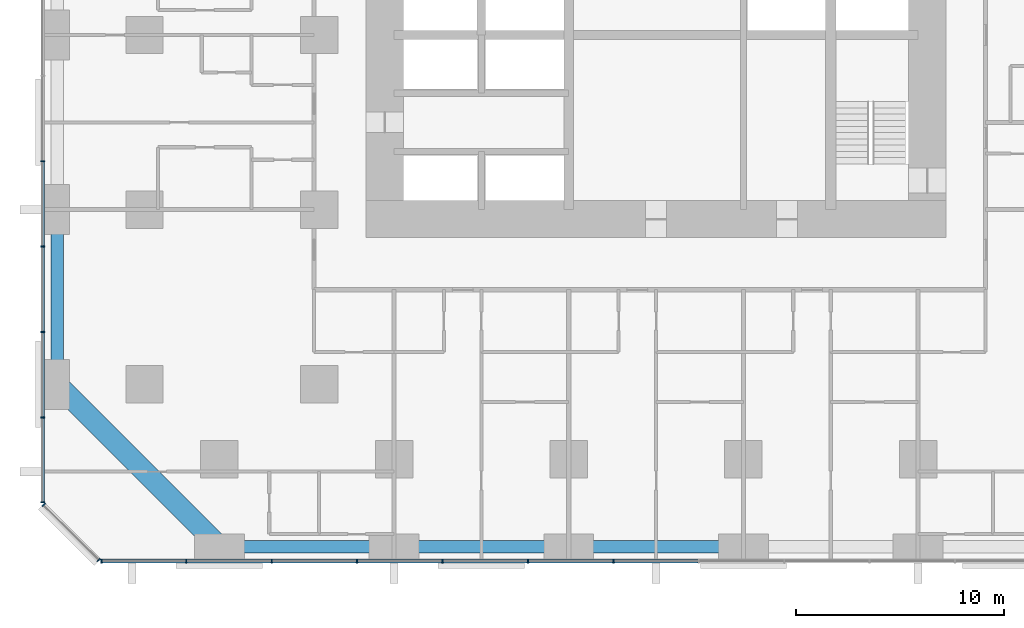
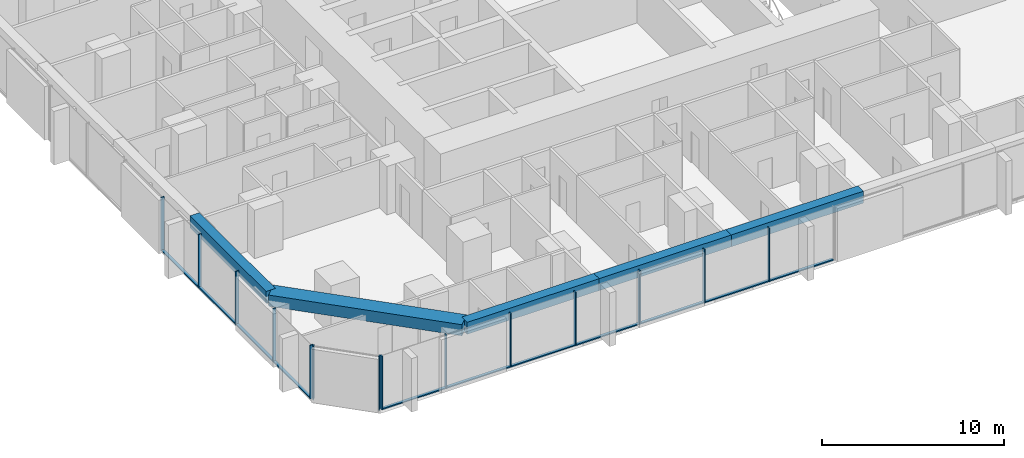
# One storey, part 2 of 17: 25 members, 5 beams, 3 elements without a shape of their own.
"""IFC4 building model written with IfcOpenShell, lengths in metres."""

from ifc_helpers import new_model, si_unit, direction, frame, origin, origin_2d, place, context, subcontext, project, spatial, rectangle, extrude, material, material_profile, profile_set, type_object, element, aggregate, save


model = new_model("IFC4")

# Units and contexts
model_context = context("Model", 3, precision=1e-05, world=origin(), true_north=direction((0.0, 1.0)))
body_context = subcontext(model_context, "Body", "Model", "MODEL_VIEW")
ifc_project = project(units=[si_unit("LENGTHUNIT", "METRE"), si_unit("AREAUNIT", "SQUARE_METRE"), si_unit("VOLUMEUNIT", "CUBIC_METRE"), si_unit("PLANEANGLEUNIT", "RADIAN"), si_unit("MASSUNIT", "GRAM", prefix="KILO")], contexts=[model_context])

# Site, building, storey
site_placement = place(None, origin())
site = spatial("IfcSite", under=ifc_project, at=site_placement, CompositionType="ELEMENT")
building_placement = place(site_placement, origin())
building = spatial("IfcBuilding", under=site, at=building_placement, Name="Dunama Terrace Hotel", CompositionType="ELEMENT")
storey_placement = place(building_placement, frame((0.0, 0.0, 48.60009765625)))
storey = spatial("IfcBuildingStorey", under=building, at=storey_placement, Name="L11", CompositionType="ELEMENT", Elevation=48.60009765625)

# Curtain wall, members
ifc_material_1 = material(Name="Aluminium curtain wall system", Category="aluminium")
curtain_wall_type = type_object("IfcCurtainWallType", Name="Unitised fritted glass wall CW-A", PredefinedType="NOTDEFINED", material=ifc_material_1)
curtain_wall_1_placement = place(storey_placement, origin())
curtain_wall_1 = element("IfcCurtainWall", 1, at=curtain_wall_1_placement, inside=storey, type_object=curtain_wall_type, Name="Unitised fritted glass wall CW-A L11", PredefinedType="NOTDEFINED")
ifc_material_2 = material(Name="Aluminium mullion", Category="aluminium")
ifc_material_profile_1 = material_profile(ifc_material_2, rectangle(XDim=0.06494140625, YDim=0.199951171875, at=origin_2d()), Name="CWA MULLION 65X200")
ifc_profile_set_1 = profile_set([ifc_material_profile_1], Name="Aluminium mullion")
member_type_1 = type_object("IfcMemberType", Name="CWA mullion 65x200", PredefinedType="MULLION", material=ifc_profile_set_1)
member_1_placement = place(storey_placement, frame((2.73291015625, -0.10009765625, 0.0), z_axis=(0.0, 0.0, 1.0), x_axis=(1.0, 0.0, 0.0)))
member_1 = element("IfcMember", 2, at=member_1_placement, type_object=member_type_1, Name="CWA mullion", PredefinedType="MULLION", context=body_context, shape_type="SweptSolid", body=[
    extrude(rectangle(XDim=0.06494140625, YDim=0.199951171875, at=origin_2d()), origin(), (0.0, 0.0, 1.0), 3.599853515625),
])
member_2_placement = place(storey_placement, frame((6.80810546875, -0.10009765625, 0.0), z_axis=(0.0, 0.0, 1.0), x_axis=(1.0, 0.0, 0.0)))
member_2 = element("IfcMember", 3, at=member_2_placement, type_object=member_type_1, Name="CWA mullion", PredefinedType="MULLION", context=body_context, shape_type="SweptSolid", body=[
    extrude(rectangle(XDim=0.06494140625, YDim=0.199951171875, at=origin_2d()), origin(), (0.0, 0.0, 1.0), 3.599853515625),
])
member_3_placement = place(storey_placement, frame((10.9150390625, -0.10009765625, 0.0), z_axis=(0.0, 0.0, 1.0), x_axis=(1.0, 0.0, 0.0)))
member_3 = element("IfcMember", 4, at=member_3_placement, type_object=member_type_1, Name="CWA mullion", PredefinedType="MULLION", context=body_context, shape_type="SweptSolid", body=[
    extrude(rectangle(XDim=0.06494140625, YDim=0.199951171875, at=origin_2d()), origin(), (0.0, 0.0, 1.0), 3.599853515625),
])
member_4_placement = place(storey_placement, frame((15.02294921875, -0.10009765625, 0.0), z_axis=(0.0, 0.0, 1.0), x_axis=(1.0, 0.0, 0.0)))
member_4 = element("IfcMember", 5, at=member_4_placement, type_object=member_type_1, Name="CWA mullion", PredefinedType="MULLION", context=body_context, shape_type="SweptSolid", body=[
    extrude(rectangle(XDim=0.06494140625, YDim=0.199951171875, at=origin_2d()), origin(), (0.0, 0.0, 1.0), 3.599853515625),
])
member_5_placement = place(storey_placement, frame((19.131103515625, -0.10009765625, 0.0), z_axis=(0.0, 0.0, 1.0), x_axis=(1.0, 0.0, 0.0)))
member_5 = element("IfcMember", 6, at=member_5_placement, type_object=member_type_1, Name="CWA mullion", PredefinedType="MULLION", context=body_context, shape_type="SweptSolid", body=[
    extrude(rectangle(XDim=0.06494140625, YDim=0.199951171875, at=origin_2d()), origin(), (0.0, 0.0, 1.0), 3.599853515625),
])
member_6_placement = place(storey_placement, frame((23.238037109375, -0.10009765625, 0.0), z_axis=(0.0, 0.0, 1.0), x_axis=(1.0, 0.0, 0.0)))
member_6 = element("IfcMember", 7, at=member_6_placement, type_object=member_type_1, Name="CWA mullion", PredefinedType="MULLION", context=body_context, shape_type="SweptSolid", body=[
    extrude(rectangle(XDim=0.06494140625, YDim=0.199951171875, at=origin_2d()), origin(), (0.0, 0.0, 1.0), 3.599853515625),
])
member_7_placement = place(storey_placement, frame((27.345947265625, -0.10009765625, 0.0), z_axis=(0.0, 0.0, 1.0), x_axis=(1.0, 0.0, 0.0)))
member_7 = element("IfcMember", 8, at=member_7_placement, type_object=member_type_1, Name="CWA mullion", PredefinedType="MULLION", context=body_context, shape_type="SweptSolid", body=[
    extrude(rectangle(XDim=0.06494140625, YDim=0.199951171875, at=origin_2d()), origin(), (0.0, 0.0, 1.0), 3.599853515625),
])

curtain_wall_2_placement = place(storey_placement, origin())
curtain_wall_2 = element("IfcCurtainWall", 9, at=curtain_wall_2_placement, inside=storey, type_object=curtain_wall_type, Name="Unitised fritted glass wall CW-A L11", PredefinedType="NOTDEFINED")
member_8_placement = place(storey_placement, frame((-0.10009765625, 19.131103515625, 0.0), z_axis=(0.0, 0.0, 1.0), x_axis=(0.0, -1.0, 0.0)))
member_8 = element("IfcMember", 10, at=member_8_placement, type_object=member_type_1, Name="CWA mullion", PredefinedType="MULLION", context=body_context, shape_type="SweptSolid", body=[
    extrude(rectangle(XDim=0.06494140625, YDim=0.199951171875, at=origin_2d()), origin(), (0.0, 0.0, 1.0), 3.599853515625),
])
member_9_placement = place(storey_placement, frame((-0.10009765625, 15.02294921875, 0.0), z_axis=(0.0, 0.0, 1.0), x_axis=(0.0, -1.0, 0.0)))
member_9 = element("IfcMember", 11, at=member_9_placement, type_object=member_type_1, Name="CWA mullion", PredefinedType="MULLION", context=body_context, shape_type="SweptSolid", body=[
    extrude(rectangle(XDim=0.06494140625, YDim=0.199951171875, at=origin_2d()), origin(), (0.0, 0.0, 1.0), 3.599853515625),
])
member_10_placement = place(storey_placement, frame((-0.10009765625, 10.9150390625, 0.0), z_axis=(0.0, 0.0, 1.0), x_axis=(0.0, -1.0, 0.0)))
member_10 = element("IfcMember", 12, at=member_10_placement, type_object=member_type_1, Name="CWA mullion", PredefinedType="MULLION", context=body_context, shape_type="SweptSolid", body=[
    extrude(rectangle(XDim=0.06494140625, YDim=0.199951171875, at=origin_2d()), origin(), (0.0, 0.0, 1.0), 3.599853515625),
])
member_11_placement = place(storey_placement, frame((-0.10009765625, 6.80810546875, 0.0), z_axis=(0.0, 0.0, 1.0), x_axis=(0.0, -1.0, 0.0)))
member_11 = element("IfcMember", 13, at=member_11_placement, type_object=member_type_1, Name="CWA mullion", PredefinedType="MULLION", context=body_context, shape_type="SweptSolid", body=[
    extrude(rectangle(XDim=0.06494140625, YDim=0.199951171875, at=origin_2d()), origin(), (0.0, 0.0, 1.0), 3.599853515625),
])
member_12_placement = place(storey_placement, frame((-0.10009765625, 2.73291015625, 0.0), z_axis=(0.0, 0.0, 1.0), x_axis=(0.0, -1.0, 0.0)))
member_12 = element("IfcMember", 14, at=member_12_placement, type_object=member_type_1, Name="CWA mullion", PredefinedType="MULLION", context=body_context, shape_type="SweptSolid", body=[
    extrude(rectangle(XDim=0.06494140625, YDim=0.199951171875, at=origin_2d()), origin(), (0.0, 0.0, 1.0), 3.599853515625),
])

curtain_wall_3_placement = place(storey_placement, origin())
curtain_wall_3 = element("IfcCurtainWall", 15, at=curtain_wall_3_placement, inside=storey, type_object=curtain_wall_type, Name="Unitised fritted glass wall CW-A L11", PredefinedType="NOTDEFINED")
member_13_placement = place(storey_placement, frame((-0.048095703125, 2.60595703125, 0.0), z_axis=(0.0, 0.0, 1.0), x_axis=(0.707106781187, -0.707106781187, 0.0)))
member_13 = element("IfcMember", 16, at=member_13_placement, type_object=member_type_1, Name="CWA mullion", PredefinedType="MULLION", context=body_context, shape_type="SweptSolid", body=[
    extrude(rectangle(XDim=0.06494140625, YDim=0.199951171875, at=origin_2d()), origin(), (0.0, 0.0, 1.0), 3.599853515625),
])
member_14_placement = place(storey_placement, frame((2.60595703125, -0.048095703125, 0.0), z_axis=(0.0, 0.0, 1.0), x_axis=(0.707106781187, -0.707106781187, 0.0)))
member_14 = element("IfcMember", 17, at=member_14_placement, type_object=member_type_1, Name="CWA mullion", PredefinedType="MULLION", context=body_context, shape_type="SweptSolid", body=[
    extrude(rectangle(XDim=0.06494140625, YDim=0.199951171875, at=origin_2d()), origin(), (0.0, 0.0, 1.0), 3.599853515625),
])
aggregate(curtain_wall_3, [member_13, member_14])

# Member
ifc_material_3 = material(Name="Aluminium transom", Category="aluminium")
ifc_material_profile_2 = material_profile(ifc_material_3, rectangle(XDim=0.179931640625, YDim=0.074951171875, at=origin_2d()), Name="CWA TRANSOM 180X75")
ifc_profile_set_2 = profile_set([ifc_material_profile_2], Name="Aluminium transom")
member_type_2 = type_object("IfcMemberType", Name="CWA transom 180x75", PredefinedType="USERDEFINED", material=ifc_profile_set_2)
member_15_placement = place(storey_placement, frame((2.764892578125, -0.10009765625, 0.037353515625), z_axis=(1.0, 0.0, 0.0), x_axis=(0.0, 1.0, 0.0)))
member_15 = element("IfcMember", 18, at=member_15_placement, type_object=member_type_2, Name="CWA transom", ObjectType="TRANSOM", PredefinedType="USERDEFINED", context=body_context, shape_type="SweptSolid", body=[
    extrude(rectangle(XDim=0.179931640625, YDim=0.074951171875, at=origin_2d()), origin(), (0.0, 0.0, 1.0), 4.010009765625),
])

member_16_placement = place(storey_placement, frame((6.840087890625, -0.10009765625, 0.037353515625), z_axis=(1.0, 0.0, 0.0), x_axis=(0.0, 1.0, 0.0)))
member_16 = element("IfcMember", 19, at=member_16_placement, type_object=member_type_2, Name="CWA transom", ObjectType="TRANSOM", PredefinedType="USERDEFINED", context=body_context, shape_type="SweptSolid", body=[
    extrude(rectangle(XDim=0.179931640625, YDim=0.074951171875, at=origin_2d()), origin(), (0.0, 0.0, 1.0), 4.04296875),
])

member_17_placement = place(storey_placement, frame((10.947998046875, -0.10009765625, 0.037353515625), z_axis=(1.0, 0.0, 0.0), x_axis=(0.0, 1.0, 0.0)))
member_17 = element("IfcMember", 20, at=member_17_placement, type_object=member_type_2, Name="CWA transom", ObjectType="TRANSOM", PredefinedType="USERDEFINED", context=body_context, shape_type="SweptSolid", body=[
    extrude(rectangle(XDim=0.179931640625, YDim=0.074951171875, at=origin_2d()), origin(), (0.0, 0.0, 1.0), 4.04296875),
])

member_18_placement = place(storey_placement, frame((15.055908203125, -0.10009765625, 0.037353515625), z_axis=(1.0, 0.0, 0.0), x_axis=(0.0, 1.0, 0.0)))
member_18 = element("IfcMember", 21, at=member_18_placement, type_object=member_type_2, Name="CWA transom", ObjectType="TRANSOM", PredefinedType="USERDEFINED", context=body_context, shape_type="SweptSolid", body=[
    extrude(rectangle(XDim=0.179931640625, YDim=0.074951171875, at=origin_2d()), origin(), (0.0, 0.0, 1.0), 4.0419921875),
])

member_19_placement = place(storey_placement, frame((19.1630859375, -0.10009765625, 0.037353515625), z_axis=(1.0, 0.0, 0.0), x_axis=(0.0, 1.0, 0.0)))
member_19 = element("IfcMember", 22, at=member_19_placement, type_object=member_type_2, Name="CWA transom", ObjectType="TRANSOM", PredefinedType="USERDEFINED", context=body_context, shape_type="SweptSolid", body=[
    extrude(rectangle(XDim=0.179931640625, YDim=0.074951171875, at=origin_2d()), origin(), (0.0, 0.0, 1.0), 4.04296875),
])

member_20_placement = place(storey_placement, frame((23.27099609375, -0.10009765625, 0.037353515625), z_axis=(1.0, 0.0, 0.0), x_axis=(0.0, 1.0, 0.0)))
member_20 = element("IfcMember", 23, at=member_20_placement, type_object=member_type_2, Name="CWA transom", ObjectType="TRANSOM", PredefinedType="USERDEFINED", context=body_context, shape_type="SweptSolid", body=[
    extrude(rectangle(XDim=0.179931640625, YDim=0.074951171875, at=origin_2d()), origin(), (0.0, 0.0, 1.0), 4.04296875),
])

member_21_placement = place(storey_placement, frame((27.37890625, -0.10009765625, 0.037353515625), z_axis=(1.0, 0.0, 0.0), x_axis=(0.0, 1.0, 0.0)))
member_21 = element("IfcMember", 24, at=member_21_placement, type_object=member_type_2, Name="CWA transom", ObjectType="TRANSOM", PredefinedType="USERDEFINED", context=body_context, shape_type="SweptSolid", body=[
    extrude(rectangle(XDim=0.179931640625, YDim=0.074951171875, at=origin_2d()), origin(), (0.0, 0.0, 1.0), 4.0419921875),
])

aggregate(curtain_wall_1, [member_1, member_2, member_3, member_4, member_5, member_6, member_7, member_15, member_16, member_17, member_18, member_19, member_20, member_21])

member_22_placement = place(storey_placement, frame((-0.10009765625, 19.097900390625, 0.037353515625), z_axis=(0.0, -1.0, 0.0), x_axis=(1.0, 0.0, 0.0)))
member_22 = element("IfcMember", 25, at=member_22_placement, type_object=member_type_2, Name="CWA transom", ObjectType="TRANSOM", PredefinedType="USERDEFINED", context=body_context, shape_type="SweptSolid", body=[
    extrude(rectangle(XDim=0.179931640625, YDim=0.074951171875, at=origin_2d()), origin(), (0.0, 0.0, 1.0), 4.0419921875),
])

member_23_placement = place(storey_placement, frame((-0.10009765625, 14.990966796875, 0.037353515625), z_axis=(0.0, -1.0, 0.0), x_axis=(1.0, 0.0, 0.0)))
member_23 = element("IfcMember", 26, at=member_23_placement, type_object=member_type_2, Name="CWA transom", ObjectType="TRANSOM", PredefinedType="USERDEFINED", context=body_context, shape_type="SweptSolid", body=[
    extrude(rectangle(XDim=0.179931640625, YDim=0.074951171875, at=origin_2d()), origin(), (0.0, 0.0, 1.0), 4.04296875),
])

member_24_placement = place(storey_placement, frame((-0.10009765625, 10.883056640625, 0.037353515625), z_axis=(0.0, -1.0, 0.0), x_axis=(1.0, 0.0, 0.0)))
member_24 = element("IfcMember", 27, at=member_24_placement, type_object=member_type_2, Name="CWA transom", ObjectType="TRANSOM", PredefinedType="USERDEFINED", context=body_context, shape_type="SweptSolid", body=[
    extrude(rectangle(XDim=0.179931640625, YDim=0.074951171875, at=origin_2d()), origin(), (0.0, 0.0, 1.0), 4.04296875),
])

member_25_placement = place(storey_placement, frame((-0.10009765625, 6.77490234375, 0.037353515625), z_axis=(0.0, -1.0, 0.0), x_axis=(1.0, 0.0, 0.0)))
member_25 = element("IfcMember", 28, at=member_25_placement, type_object=member_type_2, Name="CWA transom", ObjectType="TRANSOM", PredefinedType="USERDEFINED", context=body_context, shape_type="SweptSolid", body=[
    extrude(rectangle(XDim=0.179931640625, YDim=0.074951171875, at=origin_2d()), origin(), (0.0, 0.0, 1.0), 4.010009765625),
])

aggregate(curtain_wall_2, [member_8, member_9, member_10, member_11, member_12, member_22, member_23, member_24, member_25])

# Beams
ifc_material_4 = material(Name="Concrete C50/60", Category="concrete")
ifc_material_profile_3 = material_profile(ifc_material_4, rectangle(XDim=1.0, YDim=0.75, at=origin_2d()), Name="RC 1000x750")
ifc_profile_set_3 = profile_set([ifc_material_profile_3], Name="Concrete C50/60")
beam_type_1 = type_object("IfcBeamType", Name="Edge beam RC 1000x750", PredefinedType="SPANDREL", material=ifc_profile_set_3)
beam_1_placement = place(storey_placement, frame((8.39990234375, 0.60009765625, 3.224853515625), z_axis=(-0.707106781187, 0.707106781187, 0.0), x_axis=(-0.707106781187, -0.707106781187, 0.0)))
element("IfcBeam", 29, at=beam_1_placement, inside=storey, type_object=beam_type_1, Name="Corner edge beam under L12", PredefinedType="SPANDREL", context=body_context, shape_type="SweptSolid", body=[
    extrude(rectangle(XDim=1.0, YDim=0.75, at=origin_2d()), origin(), (0.0, 0.0, 1.0), 11.030517578125),
])
ifc_material_5 = material(Name="Concrete C40/50", Category="concrete")
ifc_material_profile_4 = material_profile(ifc_material_5, rectangle(XDim=0.60009765625, YDim=0.800048828125, at=origin_2d()), Name="RC 600x800")
ifc_profile_set_4 = profile_set([ifc_material_profile_4], Name="Concrete C40/50")
beam_type_2 = type_object("IfcBeamType", Name="Edge beam RC 600x800", PredefinedType="SPANDREL", material=ifc_profile_set_4)
for number, where, z_axis, x_axis, name in (
    (30, (0.60009765625, 8.39990234375, 3.199951171875), (0.0, 1.0, 0.0), (-1.0, 0.0, 0.0), "Edge beam under L12"),
    (31, (8.39990234375, 0.60009765625, 3.199951171875), (1.0, 0.0, 0.0), (0.0, 1.0, 0.0), "Edge beam under L12"),
):
    element("IfcBeam", number, at=place(storey_placement, frame(where, z_axis=z_axis, x_axis=x_axis)), inside=storey, type_object=beam_type_2, Name=name, PredefinedType="SPANDREL", context=body_context, shape_type="SweptSolid", body=[
        extrude(rectangle(XDim=0.60009765625, YDim=0.800048828125, at=origin_2d()), origin(), (0.0, 0.0, 1.0), 8.400146484375),
    ])
beam_2_placement = place(storey_placement, frame((16.800048828125, 0.60009765625, 3.199951171875), z_axis=(1.0, 0.0, 0.0), x_axis=(0.0, 1.0, 0.0)))
element("IfcBeam", 32, at=beam_2_placement, inside=storey, type_object=beam_type_2, Name="Edge beam under L12", PredefinedType="SPANDREL", context=body_context, shape_type="SweptSolid", body=[
    extrude(rectangle(XDim=0.60009765625, YDim=0.800048828125, at=origin_2d()), origin(), (0.0, 0.0, 1.0), 8.39990234375),
])
beam_3_placement = place(storey_placement, frame((25.199951171875, 0.60009765625, 3.199951171875), z_axis=(1.0, 0.0, 0.0), x_axis=(0.0, 1.0, 0.0)))
element("IfcBeam", 33, at=beam_3_placement, inside=storey, type_object=beam_type_2, Name="Edge beam under L12", PredefinedType="SPANDREL", context=body_context, shape_type="SweptSolid", body=[
    extrude(rectangle(XDim=0.60009765625, YDim=0.800048828125, at=origin_2d()), origin(), (0.0, 0.0, 1.0), 8.400146484375),
])

save(model, "model.ifc")
